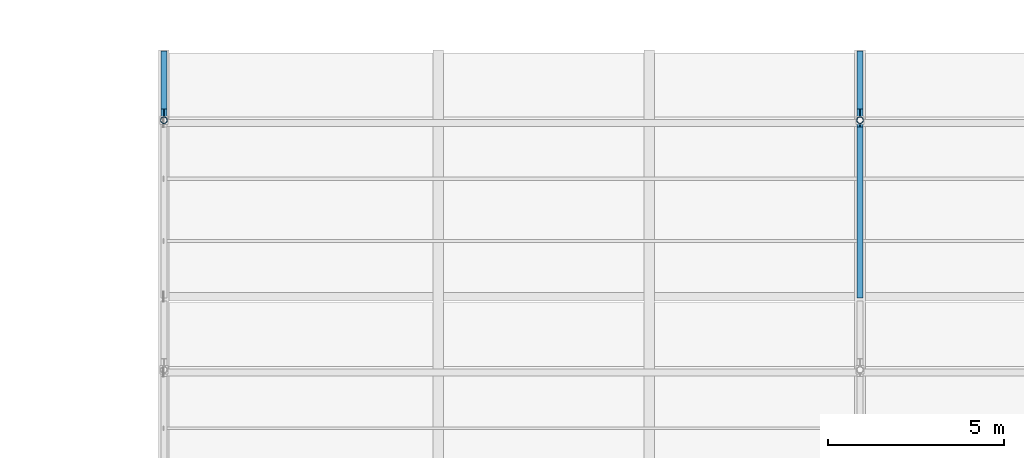
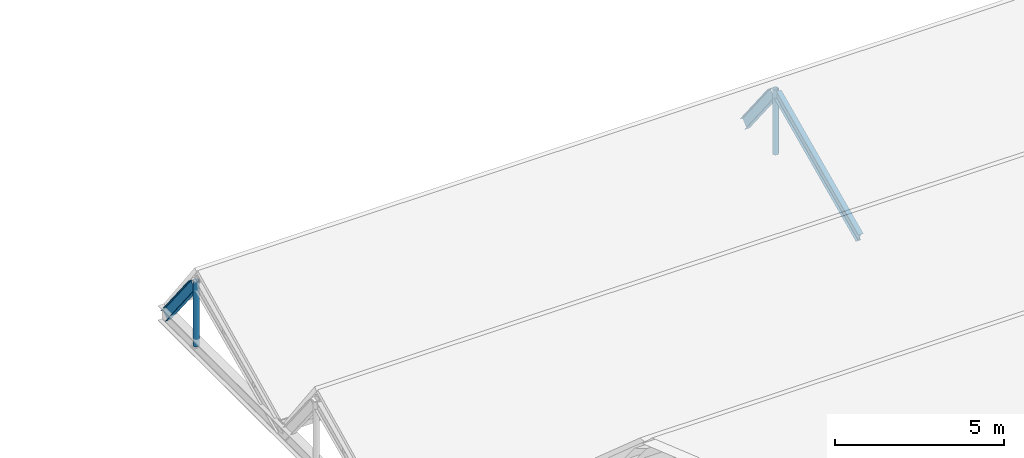
# One storey, part 79 of 138: 3 beams, 2 members.
"""IFC4 building model written with IfcOpenShell, lengths in metres."""

from ifc_helpers import new_model, si_unit, direction, frame, origin, origin_2d, place, context, subcontext, project, spatial, hollow_circle, i_section, extrude, material, material_profile, profile_set, type_object, element, save


model = new_model("IFC4")

# Units and contexts
model_context = context("Model", 3, precision=1e-05, world=origin(), true_north=direction((0.0, 1.0)))
body_context = subcontext(model_context, "Body", "Model", "MODEL_VIEW")
ifc_project = project(units=[si_unit("LENGTHUNIT", "METRE"), si_unit("AREAUNIT", "SQUARE_METRE"), si_unit("VOLUMEUNIT", "CUBIC_METRE"), si_unit("PLANEANGLEUNIT", "RADIAN"), si_unit("MASSUNIT", "GRAM", prefix="KILO")], contexts=[model_context])

# Site, building, storey
site_placement = place(None, origin())
site = spatial("IfcSite", under=ifc_project, at=site_placement, CompositionType="ELEMENT")
building_placement = place(site_placement, origin())
building = spatial("IfcBuilding", under=site, at=building_placement, Name="Vinh Khe Railworks Police Headquarters", CompositionType="ELEMENT")
storey_placement = place(building_placement, frame((0.0, 0.0, 9.0)))
storey = spatial("IfcBuildingStorey", under=building, at=storey_placement, Name="L02", CompositionType="ELEMENT", Elevation=9.0)

# Members
ifc_material = material(Name="Steel S355JR", Category="steel")
ifc_material_profile_1 = material_profile(ifc_material, hollow_circle(Radius=0.096923828125, WallThickness=0.010009765625, at=origin_2d()), Name="CHS 193.7x10")
ifc_profile_set_1 = profile_set([ifc_material_profile_1], Name="Steel S355JR")
member_type = type_object("IfcMemberType", Name="Roof Strut CHS 193.7x10", PredefinedType="STRUT", material=ifc_profile_set_1)
for number, where, z_axis, x_axis, name in (
    (1, (26.39990234375, 164.39990234375, 0.199951171875), (0.0, 0.0, 1.0), (1.0, 0.0, 0.0), "Sawtooth Ridge Post 4"),
    (2, (46.199951171875, 164.39990234375, 0.199951171875), (0.0, 0.0, 1.0), (1.0, 0.0, 0.0), "Sawtooth Ridge Post 4"),
):
    element("IfcMember", number, at=place(storey_placement, frame(where, z_axis=z_axis, x_axis=x_axis)), inside=storey, type_object=member_type, Name=name, PredefinedType="STRUT", context=body_context, shape_type="SweptSolid", body=[
        extrude(hollow_circle(Radius=0.096923828125, WallThickness=0.010009765625, at=origin_2d()), origin(), (0.0, 0.0, 1.0), 2.35009765625),
    ])

# Beams
ifc_material_profile_2 = material_profile(ifc_material, i_section(OverallWidth=0.169921875, OverallDepth=0.360107421875, WebThickness=0.008056640625, FlangeThickness=0.0126953125, FilletRadius=0.01806640625, at=origin_2d()), Name="IPE 360")
ifc_profile_set_2 = profile_set([ifc_material_profile_2], Name="Steel S355JR")
beam_type = type_object("IfcBeamType", Name="Steel Girder IPE 360", PredefinedType="BEAM", material=ifc_profile_set_2)
beam_1_placement = place(storey_placement, frame((26.39990234375, 164.580078125, 2.25), z_axis=(0.0, 0.620956273736, -0.78384520545), x_axis=(-1.0, 0.0, 0.0)))
element("IfcBeam", 3, at=beam_1_placement, inside=storey, type_object=beam_type, Name="Sawtooth Clerestory Girder 4N", PredefinedType="BEAM", context=body_context, shape_type="SweptSolid", body=[
    extrude(i_section(OverallWidth=0.169921875, OverallDepth=0.360107421875, WebThickness=0.008056640625, FlangeThickness=0.0126953125, FilletRadius=0.01806640625, at=origin_2d()), origin(), (0.0, 0.0, 1.0), 2.640869140625),
])
beam_2_placement = place(storey_placement, frame((46.199951171875, 159.419921875, 0.179931640625), z_axis=(0.0, 0.90818224373, 0.418574977959), x_axis=(-1.0, 0.0, 0.0)))
element("IfcBeam", 4, at=beam_2_placement, inside=storey, type_object=beam_type, Name="Sawtooth Slope Girder 4S", PredefinedType="BEAM", context=body_context, shape_type="SweptSolid", body=[
    extrude(i_section(OverallWidth=0.169921875, OverallDepth=0.360107421875, WebThickness=0.008056640625, FlangeThickness=0.0126953125, FilletRadius=0.01806640625, at=origin_2d()), origin(), (0.0, 0.0, 1.0), 5.3515625),
])
beam_3_placement = place(storey_placement, frame((46.199951171875, 164.580078125, 2.25), z_axis=(0.0, 0.620956273736, -0.78384520545), x_axis=(-1.0, 0.0, 0.0)))
element("IfcBeam", 5, at=beam_3_placement, inside=storey, type_object=beam_type, Name="Sawtooth Clerestory Girder 4N", PredefinedType="BEAM", context=body_context, shape_type="SweptSolid", body=[
    extrude(i_section(OverallWidth=0.169921875, OverallDepth=0.360107421875, WebThickness=0.008056640625, FlangeThickness=0.0126953125, FilletRadius=0.01806640625, at=origin_2d()), origin(), (0.0, 0.0, 1.0), 2.640869140625),
])

save(model, "model.ifc")
